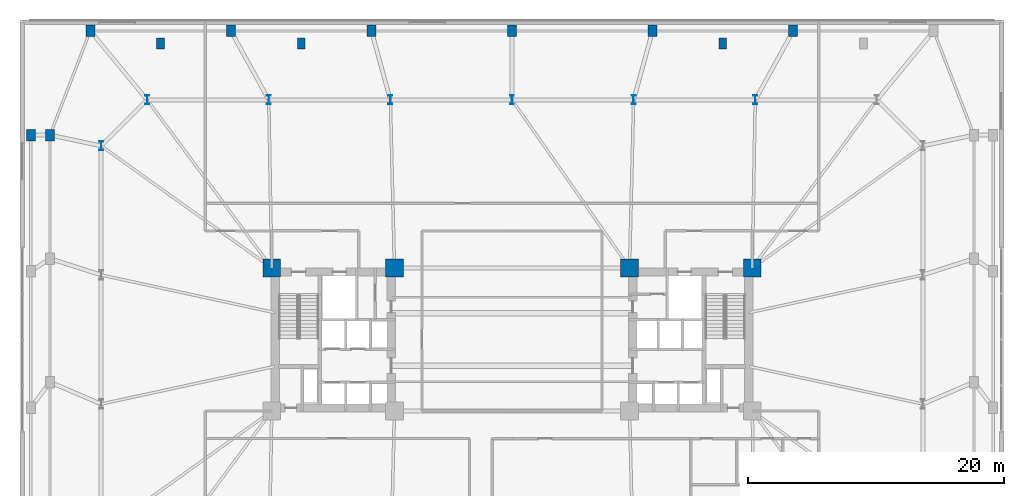
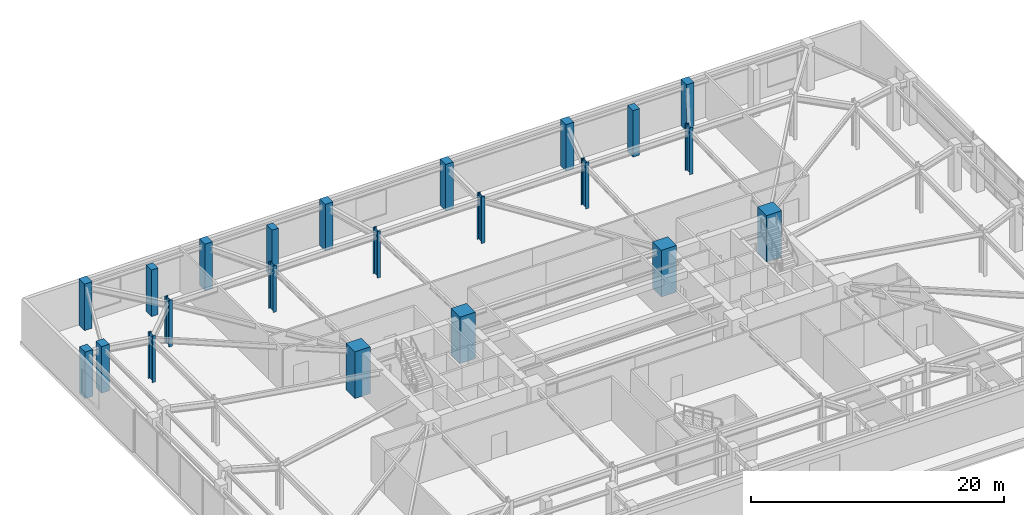
# One storey, part 2 of 21: 22 columns.
"""IFC4 building model written with IfcOpenShell, lengths in metres."""

import ifcopenshell
import ifcopenshell.guid

model = None  # the IFC model being written
_history = None  # IfcOwnerHistory: only IFC2X3 demands one
_inside = {}  # id of a spatial element -> (the spatial element, [elements in it])
_under = {}  # id of a project, library or spatial element -> (it, [spatial elements below it])
_declared = {}  # id of a project -> (the project, [libraries it declares])
_typed = {}  # id of a type object -> (the type object, [elements of that type])
_made_of = {}  # id of a material, layer set ... -> (it, [elements and type objects made of it])


def new_model(schema):
    """Start an empty IFC model of exactly this schema.

    Asked for "IFC4X3", IfcOpenShell would pick the latest addendum, in which some entities
    have other attributes; the version numbers below select the first issue.
    IFC2X3 requires an IfcOwnerHistory on every rooted entity: one is made here for all.
    """
    global model, _history
    if schema == "IFC4X3":
        model = ifcopenshell.file(schema_version=(4, 3, 0, 0))
    else:
        model = ifcopenshell.file(schema=schema)
    _inside.clear()
    _under.clear()
    _declared.clear()
    _typed.clear()
    _made_of.clear()
    _history = None
    if model.schema == "IFC2X3":
        org = make("IfcOrganization", Name="unknown")
        user = make(
            "IfcPersonAndOrganization",
            ThePerson=make("IfcPerson", FamilyName="unknown"),
            TheOrganization=org,
        )
        app = make(
            "IfcApplication",
            ApplicationDeveloper=org,
            Version="unknown",
            ApplicationFullName="unknown",
            ApplicationIdentifier="unknown",
        )
        _history = make(
            "IfcOwnerHistory",
            OwningUser=user,
            OwningApplication=app,
            ChangeAction="ADDED",
            CreationDate=0,
        )
    return model


def make(cls, **values):
    """One entity of the class cls with the attributes given. An attribute that is None is left unset."""
    return model.create_entity(
        cls, **{name: value for name, value in values.items() if value is not None}
    )


def rooted(cls, **values):
    """An entity with a GlobalId (a new one), such as an element, a storey or a relation."""
    return make(cls, GlobalId=ifcopenshell.guid.new(), OwnerHistory=_history, **values)


def si_unit(unit_type, name, prefix=None):
    """IfcSIUnit, for example si_unit("LENGTHUNIT", "METRE", prefix="MILLI")."""
    return make("IfcSIUnit", UnitType=unit_type, Prefix=prefix, Name=name)


def assignment(units):
    """IfcUnitAssignment: the units of a project."""
    return None if units is None else make("IfcUnitAssignment", Units=units)


def point(xyz):
    """IfcCartesianPoint."""
    return None if xyz is None else make("IfcCartesianPoint", Coordinates=xyz)


def direction(xyz):
    """IfcDirection."""
    return None if xyz is None else make("IfcDirection", DirectionRatios=xyz)


def frame(location, z_axis=None, x_axis=None):
    """IfcAxis2Placement3D, a coordinate frame: its origin and axes. An axis left out is left unset."""
    return make(
        "IfcAxis2Placement3D",
        Location=point(location),
        Axis=direction(z_axis),
        RefDirection=direction(x_axis),
    )


def frame_2d(location, x_axis=None):
    """IfcAxis2Placement2D, a coordinate frame in the plane: its origin and x axis."""
    return make(
        "IfcAxis2Placement2D", Location=point(location), RefDirection=direction(x_axis)
    )


def origin():
    """The frame at (0, 0, 0) with its axes left unset."""
    return frame((0.0, 0.0, 0.0))


def origin_2d():
    """The frame at (0, 0) in the plane with its x axis left unset."""
    return frame_2d((0.0, 0.0))


def place(relative_to, where):
    """IfcLocalPlacement: puts the frame where relative to a parent placement (None: the world)."""
    return make(
        "IfcLocalPlacement", PlacementRelTo=relative_to, RelativePlacement=where
    )


def context(
    kind, dimensions, precision=None, world=None, true_north=None, identifier=None
):
    """IfcGeometricRepresentationContext, for example the 3D "Model" context."""
    return make(
        "IfcGeometricRepresentationContext",
        ContextIdentifier=identifier,
        ContextType=kind,
        CoordinateSpaceDimension=dimensions,
        Precision=precision,
        WorldCoordinateSystem=world,
        TrueNorth=true_north,
    )


def subcontext(parent, identifier, kind, view, scale=None):
    """IfcGeometricRepresentationSubContext, for example "Body" below "Model"."""
    return make(
        "IfcGeometricRepresentationSubContext",
        ContextIdentifier=identifier,
        ContextType=kind,
        ParentContext=parent,
        TargetScale=scale,
        TargetView=view,
    )


def project(units=None, contexts=None):
    """IfcProject with its units and contexts."""
    return rooted(
        "IfcProject",
        Name="project",
        RepresentationContexts=contexts,
        UnitsInContext=assignment(units),
    )


def spatial(cls, under=None, at=None, **own):
    """A site, building, storey or space (cls), placed at a placement, below another one or the project."""
    s = rooted(cls, ObjectPlacement=at, **own)
    if under is not None:
        _under.setdefault(under.id(), (under, []))[1].append(s)
    return s


def profile(cls, at=None, kind="AREA", **sizes):
    """A parametric profile (cls). Its sizes go by their IFC names, for example OverallWidth=200.0."""
    return make(cls, ProfileType=kind, Position=at, **sizes)


def rectangle(**sizes):
    """IfcRectangleProfileDef."""
    return profile("IfcRectangleProfileDef", **sizes)


def i_section(**sizes):
    """IfcIShapeProfileDef."""
    return profile("IfcIShapeProfileDef", **sizes)


def extrude(swept, where, along, depth):
    """IfcExtrudedAreaSolid: the profile swept, set in the frame where, extruded along a direction by depth."""
    return make(
        "IfcExtrudedAreaSolid",
        SweptArea=swept,
        Position=where,
        ExtrudedDirection=direction(along),
        Depth=depth,
    )


def shape(context_of_items, identifier, shape_type, items):
    """IfcShapeRepresentation: the items that make up one representation, for example the "Body"."""
    return make(
        "IfcShapeRepresentation",
        ContextOfItems=context_of_items,
        RepresentationIdentifier=identifier,
        RepresentationType=shape_type,
        Items=items,
    )


def material(Name=None, Category=None):
    """IfcMaterial."""
    return make("IfcMaterial", Name=Name, Category=Category)


def material_profile(
    of_material, cross_section, Name=None, Category=None, Priority=None
):
    """IfcMaterialProfile: a cross section and its material."""
    return make(
        "IfcMaterialProfile",
        Name=Name,
        Material=of_material,
        Profile=cross_section,
        Priority=Priority,
        Category=Category,
    )


def profile_set(profiles, Name=None, composite=None):
    """IfcMaterialProfileSet."""
    return make(
        "IfcMaterialProfileSet",
        Name=Name,
        MaterialProfiles=profiles,
        CompositeProfile=composite,
    )


def made_of(thing, what):
    """Note that an element or type object is made of a material, layer set ...; save() writes the relation."""
    if what is not None:
        _made_of.setdefault(what.id(), (what, []))[1].append(thing)
    return thing


def type_object(cls, material=None, **own):
    """A type object (cls), such as IfcWallType, which elements share."""
    return made_of(rooted(cls, **own), material)


def element(
    cls,
    number,
    at=None,
    inside=None,
    cuts=None,
    type_object=None,
    material=None,
    context=None,
    identifier="Body",
    shape_type=None,
    held_by="IfcProductDefinitionShape",
    body=None,
    shapes=None,
    **own,
):
    """One element of the class cls, such as IfcWall. Its Tag is "e" and its number.

    at: its placement. inside: the storey or other place that contains it. cuts: it is an
    opening in that element (IfcRelVoidsElement). A single representation is given by context,
    identifier, shape_type and body (its items); several are given by shapes. held_by: the class
    of the entity that holds the representations. save() writes the other relations.
    """
    e = rooted(cls, Tag="e%d" % number, ObjectPlacement=at, **own)
    if body is not None:
        shapes = [shape(context, identifier, shape_type, body)]
    if shapes is not None:
        e.Representation = make(held_by, Representations=shapes)
    if inside is not None:
        _inside.setdefault(inside.id(), (inside, []))[1].append(e)
    if cuts is not None:
        rooted(
            "IfcRelVoidsElement", RelatingBuildingElement=cuts, RelatedOpeningElement=e
        )
    if type_object is not None:
        _typed.setdefault(type_object.id(), (type_object, []))[1].append(e)
    return made_of(e, material)


def aggregate(whole, parts):
    """IfcRelAggregates: a whole, such as a stair, and the parts it consists of."""
    return rooted("IfcRelAggregates", RelatingObject=whole, RelatedObjects=parts)


def save(model, path):
    """Write the relations noted so far, then the file.

    IfcRelAggregates (storeys below a building ...), IfcRelContainedInSpatialStructure (elements
    in a storey), IfcRelDefinesByType, IfcRelAssociatesMaterial and IfcRelDeclares: one each for
    every whole, place, type object, material and project.
    """
    for whole, parts in _under.values():
        aggregate(whole, parts)
    for where, things in _inside.values():
        rooted(
            "IfcRelContainedInSpatialStructure",
            RelatedElements=things,
            RelatingStructure=where,
        )
    for kind, things in _typed.values():
        rooted("IfcRelDefinesByType", RelatedObjects=things, RelatingType=kind)
    for what, things in _made_of.values():
        rooted("IfcRelAssociatesMaterial", RelatedObjects=things, RelatingMaterial=what)
    for by, libraries in _declared.values():
        rooted("IfcRelDeclares", RelatingContext=by, RelatedDefinitions=libraries)
    model.write(path)


model = new_model("IFC4")

# Units and contexts
model_context = context("Model", 3, precision=1e-05, world=origin(), true_north=direction((0.0, 1.0)))
body_context = subcontext(model_context, "Body", "Model", "MODEL_VIEW")
ifc_project = project(units=[si_unit("LENGTHUNIT", "METRE"), si_unit("AREAUNIT", "SQUARE_METRE"), si_unit("VOLUMEUNIT", "CUBIC_METRE"), si_unit("PLANEANGLEUNIT", "RADIAN"), si_unit("MASSUNIT", "GRAM", prefix="KILO")], contexts=[model_context])

# Site, building, storey
site_placement = place(None, origin())
site = spatial("IfcSite", under=ifc_project, at=site_placement, CompositionType="ELEMENT")
building_placement = place(site_placement, origin())
building = spatial("IfcBuilding", under=site, at=building_placement, Name="Qobustan Lattice House", CompositionType="ELEMENT")
storey_placement = place(building_placement, frame((0.0, 0.0, 4.5)))
storey = spatial("IfcBuildingStorey", under=building, at=storey_placement, Name="L01", CompositionType="ELEMENT", Elevation=4.5)

# Columns
ifc_material_1 = material(Name="Concrete C50/60", Category="concrete")
ifc_material_profile_1 = material_profile(ifc_material_1, rectangle(XDim=0.60009765625, YDim=0.85009765625, at=origin_2d()), Name="RC600x850")
ifc_profile_set_1 = profile_set([ifc_material_profile_1], Name="Concrete C50/60")
column_type_1 = type_object("IfcColumnType", Name="COL-PIL-600x850", PredefinedType="PILASTER", material=ifc_profile_set_1)
for number, where, z_axis, x_axis, name in (
    (1, (-27.5, 23.14990234375, 0.0), (0.0, 0.0, 1.0), (1.0, 0.0, 0.0), "L01 colonnade pilaster N1"),
    (2, (-16.5, 23.14990234375, 0.0), (0.0, 0.0, 1.0), (1.0, 0.0, 0.0), "L01 colonnade pilaster N2"),
    (3, (16.5, 23.14990234375, 0.0), (0.0, 0.0, 1.0), (1.0, 0.0, 0.0), "L01 colonnade pilaster N3"),
):
    element("IfcColumn", number, at=place(storey_placement, frame(where, z_axis=z_axis, x_axis=x_axis)), inside=storey, type_object=column_type_1, Name=name, PredefinedType="PILASTER", context=body_context, shape_type="SweptSolid", body=[
        extrude(rectangle(XDim=0.60009765625, YDim=0.85009765625, at=origin_2d()), origin(), (0.0, 0.0, 1.0), 4.5),
    ])
ifc_material_2 = material(Name="Concrete C60/75", Category="concrete")
ifc_material_profile_2 = material_profile(ifc_material_2, rectangle(XDim=1.39990234375, YDim=1.39990234375, at=origin_2d()), Name="RC1400x1400")
ifc_profile_set_2 = profile_set([ifc_material_profile_2], Name="Concrete C60/75")
column_type_2 = type_object("IfcColumnType", Name="COL-RC-1400", PredefinedType="COLUMN", material=ifc_profile_set_2)
for number, where, z_axis, x_axis, name in (
    (4, (-18.800048828125, 5.60009765625, 0.0), (0.0, 0.0, 1.0), (1.0, 0.0, 0.0), "L01 core mega-column CW-NW"),
    (5, (-9.199951171875, 5.60009765625, 0.0), (0.0, 0.0, 1.0), (1.0, 0.0, 0.0), "L01 core mega-column CW-NE"),
    (6, (9.199951171875, 5.60009765625, 0.0), (0.0, 0.0, 1.0), (1.0, 0.0, 0.0), "L01 core mega-column CE-NW"),
    (7, (18.800048828125, 5.60009765625, 0.0), (0.0, 0.0, 1.0), (1.0, 0.0, 0.0), "L01 core mega-column CE-NE"),
):
    element("IfcColumn", number, at=place(storey_placement, frame(where, z_axis=z_axis, x_axis=x_axis)), inside=storey, type_object=column_type_2, Name=name, PredefinedType="COLUMN", context=body_context, shape_type="SweptSolid", body=[
        extrude(rectangle(XDim=1.39990234375, YDim=1.39990234375, at=origin_2d()), origin(), (0.0, 0.0, 1.0), 4.5),
    ])
ifc_material_3 = material(Name="Concrete C50/60", Category="concrete")
ifc_material_profile_3 = material_profile(ifc_material_3, rectangle(XDim=0.699951171875, YDim=0.89990234375, at=origin_2d()), Name="RC700x900")
ifc_profile_set_3 = profile_set([ifc_material_profile_3], Name="Concrete C50/60")
column_type_3 = type_object("IfcColumnType", Name="COL-RC-700x900", PredefinedType="COLUMN", material=ifc_profile_set_3)
for number, where, z_axis, x_axis, name in (
    (8, (-33.0, 24.14990234375, 0.0), (0.0, 0.0, 1.0), (1.0, 0.0, 0.0), "L01 podium column PN1"),
    (9, (-22.0, 24.14990234375, 0.0), (0.0, 0.0, 1.0), (1.0, 0.0, 0.0), "L01 podium column PN2"),
    (10, (-11.0, 24.14990234375, 0.0), (0.0, 0.0, 1.0), (1.0, 0.0, 0.0), "L01 podium column PN3"),
    (11, (0.0, 24.14990234375, 0.0), (0.0, 0.0, 1.0), (1.0, 0.0, 0.0), "L01 podium column PN4"),
    (12, (11.0, 24.14990234375, 0.0), (0.0, 0.0, 1.0), (1.0, 0.0, 0.0), "L01 podium column PN5"),
    (13, (22.0, 24.14990234375, 0.0), (0.0, 0.0, 1.0), (1.0, 0.0, 0.0), "L01 podium column PN6"),
    (14, (-36.14990234375, 16.0, 0.0), (0.0, 0.0, 1.0), (1.0, 0.0, 0.0), "L01 podium column PW4"),
    (15, (-37.64990234375, 16.0, 0.0), (0.0, 0.0, 1.0), (1.0, 0.0, 0.0), "L01 lower podium perimeter column PWL4"),
):
    element("IfcColumn", number, at=place(storey_placement, frame(where, z_axis=z_axis, x_axis=x_axis)), inside=storey, type_object=column_type_3, Name=name, PredefinedType="COLUMN", context=body_context, shape_type="SweptSolid", body=[
        extrude(rectangle(XDim=0.699951171875, YDim=0.89990234375, at=origin_2d()), origin(), (0.0, 0.0, 1.0), 4.5),
    ])
ifc_material_4 = material(Name="Steel S460", Category="steel")
ifc_material_profile_4 = material_profile(ifc_material_4, i_section(OverallWidth=0.303955078125, OverallDepth=0.716064453125, WebThickness=0.02099609375, FlangeThickness=0.0400390625, FilletRadius=0.027099609375, at=origin_2d()), Name="HEM700")
ifc_profile_set_4 = profile_set([ifc_material_profile_4], Name="Steel S460")
column_type_4 = type_object("IfcColumnType", Name="COL-ST-HEM700", PredefinedType="COLUMN", material=ifc_profile_set_4)
for number, where, z_axis, x_axis, name in (
    (16, (19.033203125, 18.75, 0.0), (0.0, 0.0, 1.0), (1.0, 0.0, 0.0), "L01 tower base column N2"),
    (17, (9.5166015625, 18.75, 0.0), (0.0, 0.0, 1.0), (1.0, 0.0, 0.0), "L01 tower base column N3"),
    (18, (0.0, 18.75, 0.0), (0.0, 0.0, 1.0), (1.0, 0.0, 0.0), "L01 tower base column N4"),
    (19, (-9.5166015625, 18.75, 0.0), (0.0, 0.0, 1.0), (1.0, 0.0, 0.0), "L01 tower base column N5"),
    (20, (-19.033203125, 18.75, 0.0), (0.0, 0.0, 1.0), (1.0, 0.0, 0.0), "L01 tower base column N6"),
    (21, (-28.550048828125, 18.75, 0.0), (0.0, 0.0, 1.0), (1.0, 0.0, 0.0), "L01 tower base column N7"),
    (22, (-32.14990234375, 15.14990234375, 0.0), (0.0, 0.0, 1.0), (1.0, 0.0, 0.0), "L01 tower base column W1"),
):
    element("IfcColumn", number, at=place(storey_placement, frame(where, z_axis=z_axis, x_axis=x_axis)), inside=storey, type_object=column_type_4, Name=name, PredefinedType="COLUMN", context=body_context, shape_type="SweptSolid", body=[
        extrude(i_section(OverallWidth=0.303955078125, OverallDepth=0.716064453125, WebThickness=0.02099609375, FlangeThickness=0.0400390625, FilletRadius=0.027099609375, at=origin_2d()), origin(), (0.0, 0.0, 1.0), 4.5),
    ])

save(model, "model.ifc")
